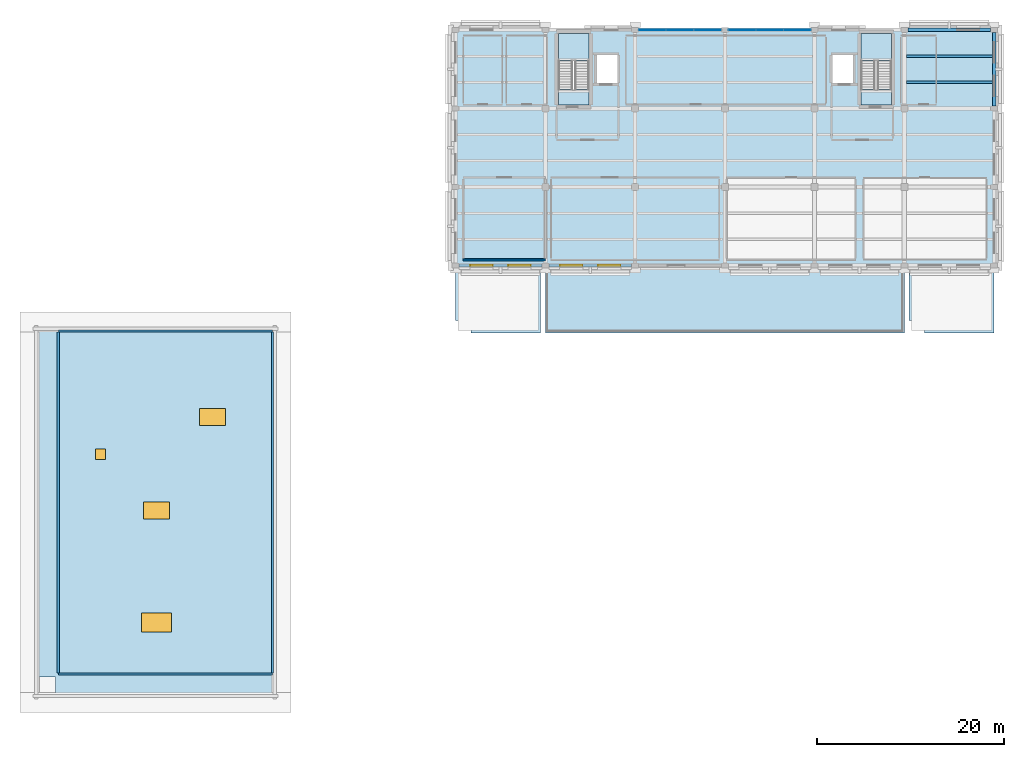
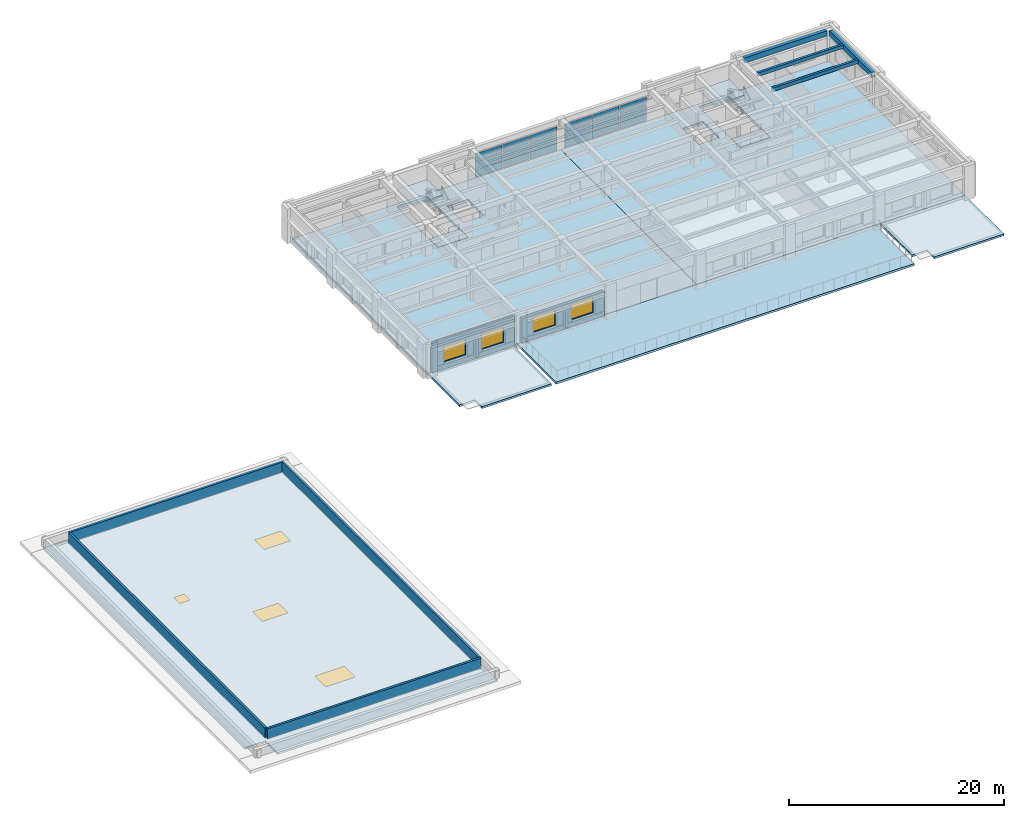
# One storey, part 3 of 10: 18 plates, 10 slabs, 7 walls, 7 windows, 4 beams, 1 door, 8 openings, 4 elements without a shape of their own.
"""IFC4 building model written with IfcOpenShell, lengths in metres."""

import ifcopenshell
import ifcopenshell.guid

model = None  # the IFC model being written
_history = None  # IfcOwnerHistory: only IFC2X3 demands one
_inside = {}  # id of a spatial element -> (the spatial element, [elements in it])
_under = {}  # id of a project, library or spatial element -> (it, [spatial elements below it])
_declared = {}  # id of a project -> (the project, [libraries it declares])
_typed = {}  # id of a type object -> (the type object, [elements of that type])
_made_of = {}  # id of a material, layer set ... -> (it, [elements and type objects made of it])


def new_model(schema):
    """Start an empty IFC model of exactly this schema.

    Asked for "IFC4X3", IfcOpenShell would pick the latest addendum, in which some entities
    have other attributes; the version numbers below select the first issue.
    IFC2X3 requires an IfcOwnerHistory on every rooted entity: one is made here for all.
    """
    global model, _history
    if schema == "IFC4X3":
        model = ifcopenshell.file(schema_version=(4, 3, 0, 0))
    else:
        model = ifcopenshell.file(schema=schema)
    _inside.clear()
    _under.clear()
    _declared.clear()
    _typed.clear()
    _made_of.clear()
    _history = None
    if model.schema == "IFC2X3":
        org = make("IfcOrganization", Name="unknown")
        user = make(
            "IfcPersonAndOrganization",
            ThePerson=make("IfcPerson", FamilyName="unknown"),
            TheOrganization=org,
        )
        app = make(
            "IfcApplication",
            ApplicationDeveloper=org,
            Version="unknown",
            ApplicationFullName="unknown",
            ApplicationIdentifier="unknown",
        )
        _history = make(
            "IfcOwnerHistory",
            OwningUser=user,
            OwningApplication=app,
            ChangeAction="ADDED",
            CreationDate=0,
        )
    return model


def make(cls, **values):
    """One entity of the class cls with the attributes given. An attribute that is None is left unset."""
    return model.create_entity(
        cls, **{name: value for name, value in values.items() if value is not None}
    )


def rooted(cls, **values):
    """An entity with a GlobalId (a new one), such as an element, a storey or a relation."""
    return make(cls, GlobalId=ifcopenshell.guid.new(), OwnerHistory=_history, **values)


def si_unit(unit_type, name, prefix=None):
    """IfcSIUnit, for example si_unit("LENGTHUNIT", "METRE", prefix="MILLI")."""
    return make("IfcSIUnit", UnitType=unit_type, Prefix=prefix, Name=name)


def assignment(units):
    """IfcUnitAssignment: the units of a project."""
    return None if units is None else make("IfcUnitAssignment", Units=units)


def point(xyz):
    """IfcCartesianPoint."""
    return None if xyz is None else make("IfcCartesianPoint", Coordinates=xyz)


def direction(xyz):
    """IfcDirection."""
    return None if xyz is None else make("IfcDirection", DirectionRatios=xyz)


def frame(location, z_axis=None, x_axis=None):
    """IfcAxis2Placement3D, a coordinate frame: its origin and axes. An axis left out is left unset."""
    return make(
        "IfcAxis2Placement3D",
        Location=point(location),
        Axis=direction(z_axis),
        RefDirection=direction(x_axis),
    )


def frame_2d(location, x_axis=None):
    """IfcAxis2Placement2D, a coordinate frame in the plane: its origin and x axis."""
    return make(
        "IfcAxis2Placement2D", Location=point(location), RefDirection=direction(x_axis)
    )


def origin():
    """The frame at (0, 0, 0) with its axes left unset."""
    return frame((0.0, 0.0, 0.0))


def origin_2d():
    """The frame at (0, 0) in the plane with its x axis left unset."""
    return frame_2d((0.0, 0.0))


def place(relative_to, where):
    """IfcLocalPlacement: puts the frame where relative to a parent placement (None: the world)."""
    return make(
        "IfcLocalPlacement", PlacementRelTo=relative_to, RelativePlacement=where
    )


def context(
    kind, dimensions, precision=None, world=None, true_north=None, identifier=None
):
    """IfcGeometricRepresentationContext, for example the 3D "Model" context."""
    return make(
        "IfcGeometricRepresentationContext",
        ContextIdentifier=identifier,
        ContextType=kind,
        CoordinateSpaceDimension=dimensions,
        Precision=precision,
        WorldCoordinateSystem=world,
        TrueNorth=true_north,
    )


def subcontext(parent, identifier, kind, view, scale=None):
    """IfcGeometricRepresentationSubContext, for example "Body" below "Model"."""
    return make(
        "IfcGeometricRepresentationSubContext",
        ContextIdentifier=identifier,
        ContextType=kind,
        ParentContext=parent,
        TargetScale=scale,
        TargetView=view,
    )


def project(units=None, contexts=None):
    """IfcProject with its units and contexts."""
    return rooted(
        "IfcProject",
        Name="project",
        RepresentationContexts=contexts,
        UnitsInContext=assignment(units),
    )


def spatial(cls, under=None, at=None, **own):
    """A site, building, storey or space (cls), placed at a placement, below another one or the project."""
    s = rooted(cls, ObjectPlacement=at, **own)
    if under is not None:
        _under.setdefault(under.id(), (under, []))[1].append(s)
    return s


def polyline(points):
    """IfcPolyline through the points."""
    return make("IfcPolyline", Points=[point(p) for p in points])


def profile(cls, at=None, kind="AREA", **sizes):
    """A parametric profile (cls). Its sizes go by their IFC names, for example OverallWidth=200.0."""
    return make(cls, ProfileType=kind, Position=at, **sizes)


def rectangle(**sizes):
    """IfcRectangleProfileDef."""
    return profile("IfcRectangleProfileDef", **sizes)


def outline(outer, holes=None, kind="AREA"):
    """IfcArbitraryClosedProfileDef: a profile drawn as a closed curve; with holes, ...WithVoids."""
    if holes is None:
        return make("IfcArbitraryClosedProfileDef", ProfileType=kind, OuterCurve=outer)
    return make(
        "IfcArbitraryProfileDefWithVoids",
        ProfileType=kind,
        OuterCurve=outer,
        InnerCurves=holes,
    )


def extrude(swept, where, along, depth):
    """IfcExtrudedAreaSolid: the profile swept, set in the frame where, extruded along a direction by depth."""
    return make(
        "IfcExtrudedAreaSolid",
        SweptArea=swept,
        Position=where,
        ExtrudedDirection=direction(along),
        Depth=depth,
    )


def shape(context_of_items, identifier, shape_type, items):
    """IfcShapeRepresentation: the items that make up one representation, for example the "Body"."""
    return make(
        "IfcShapeRepresentation",
        ContextOfItems=context_of_items,
        RepresentationIdentifier=identifier,
        RepresentationType=shape_type,
        Items=items,
    )


def material(Name=None, Category=None):
    """IfcMaterial."""
    return make("IfcMaterial", Name=Name, Category=Category)


def layer(
    of_material, thickness, ventilated=None, Name=None, Category=None, Priority=None
):
    """IfcMaterialLayer: one layer of a wall or slab, of a material (None: an air gap)."""
    return make(
        "IfcMaterialLayer",
        Material=of_material,
        LayerThickness=thickness,
        IsVentilated=ventilated,
        Name=Name,
        Category=Category,
        Priority=Priority,
    )


def layer_set(layers, Name=None):
    """IfcMaterialLayerSet."""
    return make("IfcMaterialLayerSet", MaterialLayers=layers, LayerSetName=Name)


def material_profile(
    of_material, cross_section, Name=None, Category=None, Priority=None
):
    """IfcMaterialProfile: a cross section and its material."""
    return make(
        "IfcMaterialProfile",
        Name=Name,
        Material=of_material,
        Profile=cross_section,
        Priority=Priority,
        Category=Category,
    )


def profile_set(profiles, Name=None, composite=None):
    """IfcMaterialProfileSet."""
    return make(
        "IfcMaterialProfileSet",
        Name=Name,
        MaterialProfiles=profiles,
        CompositeProfile=composite,
    )


def made_of(thing, what):
    """Note that an element or type object is made of a material, layer set ...; save() writes the relation."""
    if what is not None:
        _made_of.setdefault(what.id(), (what, []))[1].append(thing)
    return thing


def type_object(cls, material=None, **own):
    """A type object (cls), such as IfcWallType, which elements share."""
    return made_of(rooted(cls, **own), material)


def element(
    cls,
    number,
    at=None,
    inside=None,
    cuts=None,
    type_object=None,
    material=None,
    context=None,
    identifier="Body",
    shape_type=None,
    held_by="IfcProductDefinitionShape",
    body=None,
    shapes=None,
    **own,
):
    """One element of the class cls, such as IfcWall. Its Tag is "e" and its number.

    at: its placement. inside: the storey or other place that contains it. cuts: it is an
    opening in that element (IfcRelVoidsElement). A single representation is given by context,
    identifier, shape_type and body (its items); several are given by shapes. held_by: the class
    of the entity that holds the representations. save() writes the other relations.
    """
    e = rooted(cls, Tag="e%d" % number, ObjectPlacement=at, **own)
    if body is not None:
        shapes = [shape(context, identifier, shape_type, body)]
    if shapes is not None:
        e.Representation = make(held_by, Representations=shapes)
    if inside is not None:
        _inside.setdefault(inside.id(), (inside, []))[1].append(e)
    if cuts is not None:
        rooted(
            "IfcRelVoidsElement", RelatingBuildingElement=cuts, RelatedOpeningElement=e
        )
    if type_object is not None:
        _typed.setdefault(type_object.id(), (type_object, []))[1].append(e)
    return made_of(e, material)


def fill(opening, filler):
    """IfcRelFillsElement: the door or window that sits in an opening."""
    return rooted(
        "IfcRelFillsElement",
        RelatingOpeningElement=opening,
        RelatedBuildingElement=filler,
    )


def aggregate(whole, parts):
    """IfcRelAggregates: a whole, such as a stair, and the parts it consists of."""
    return rooted("IfcRelAggregates", RelatingObject=whole, RelatedObjects=parts)


def save(model, path):
    """Write the relations noted so far, then the file.

    IfcRelAggregates (storeys below a building ...), IfcRelContainedInSpatialStructure (elements
    in a storey), IfcRelDefinesByType, IfcRelAssociatesMaterial and IfcRelDeclares: one each for
    every whole, place, type object, material and project.
    """
    for whole, parts in _under.values():
        aggregate(whole, parts)
    for where, things in _inside.values():
        rooted(
            "IfcRelContainedInSpatialStructure",
            RelatedElements=things,
            RelatingStructure=where,
        )
    for kind, things in _typed.values():
        rooted("IfcRelDefinesByType", RelatedObjects=things, RelatingType=kind)
    for what, things in _made_of.values():
        rooted("IfcRelAssociatesMaterial", RelatedObjects=things, RelatingMaterial=what)
    for by, libraries in _declared.values():
        rooted("IfcRelDeclares", RelatingContext=by, RelatedDefinitions=libraries)
    model.write(path)


model = new_model("IFC4")

# Units and contexts
model_context = context("Model", 3, precision=1e-05, world=origin(), true_north=direction((0.0, 1.0)))
body_context = subcontext(model_context, "Body", "Model", "MODEL_VIEW")
ifc_project = project(units=[si_unit("LENGTHUNIT", "METRE"), si_unit("AREAUNIT", "SQUARE_METRE"), si_unit("VOLUMEUNIT", "CUBIC_METRE"), si_unit("PLANEANGLEUNIT", "RADIAN"), si_unit("MASSUNIT", "GRAM", prefix="KILO")], contexts=[model_context])

# Site, building, storey
site_placement = place(None, origin())
site = spatial("IfcSite", under=ifc_project, at=site_placement, CompositionType="ELEMENT")
building_placement = place(site_placement, origin())
building = spatial("IfcBuilding", under=site, at=building_placement, Name="Bempovik Park Faculty of Sciences", CompositionType="ELEMENT")
storey_placement = place(building_placement, frame((0.0, 0.0, 26.699951171875)))
storey = spatial("IfcBuildingStorey", under=building, at=storey_placement, Name="L06", CompositionType="ELEMENT", Elevation=26.699951171875)

# Beams
ifc_material_1 = material(Name="Concrete C35/45", Category="concrete")
ifc_material_profile_1 = material_profile(ifc_material_1, rectangle(XDim=0.3798828125, YDim=0.60009765625, at=origin_2d()), Name="RC 380x600")
ifc_profile_set_1 = profile_set([ifc_material_profile_1], Name="Concrete C35/45")
beam_type_1 = type_object("IfcBeamType", Name="B-032 RC 380x600", PredefinedType="SPANDREL", material=ifc_profile_set_1)
beam_1_placement = place(storey_placement, frame((108.381103515625, 119.39990234375, 3.320068359375), z_axis=(1.0, 0.0, 0.0), x_axis=(0.0, 1.0, 0.0)))
element("IfcBeam", 1, at=beam_1_placement, inside=storey, type_object=beam_type_1, Name="L06 Beam X (108.0-117.6, y=119.4)", PredefinedType="SPANDREL", context=body_context, shape_type="SweptSolid", body=[
    extrude(rectangle(XDim=0.3798828125, YDim=0.60009765625, at=origin_2d()), origin(), (0.0, 0.0, 1.0), 8.837890625),
])
beam_2_placement = place(storey_placement, frame((117.60009765625, 111.281005859375, 3.320068359375), z_axis=(0.0, 1.0, 0.0), x_axis=(-1.0, 0.0, 0.0)))
element("IfcBeam", 2, at=beam_2_placement, inside=storey, type_object=beam_type_1, Name="L06 Beam Y (x=117.6, 111.0-119.4)", PredefinedType="SPANDREL", context=body_context, shape_type="SweptSolid", body=[
    extrude(rectangle(XDim=0.3798828125, YDim=0.60009765625, at=origin_2d()), origin(), (0.0, 0.0, 1.0), 7.837890625),
])
ifc_material_profile_2 = material_profile(ifc_material_1, rectangle(XDim=0.260009765625, YDim=0.39990234375, at=origin_2d()), Name="RC 260x400")
ifc_profile_set_2 = profile_set([ifc_material_profile_2], Name="Concrete C35/45")
beam_type_2 = type_object("IfcBeamType", Name="B-063 RC 260x400", PredefinedType="JOIST", material=ifc_profile_set_2)
for number, where, z_axis, x_axis, name in (
    (3, (108.23095703125, 113.800048828125, 3.420166015625), (1.0, 0.0, 0.0), (0.0, 1.0, 0.0), "L06 Secondary Joist (108.0-117.6, y=113.80)"),
    (4, (108.23095703125, 116.60009765625, 3.420166015625), (1.0, 0.0, 0.0), (0.0, 1.0, 0.0), "L06 Secondary Joist (108.0-117.6, y=116.60)"),
):
    element("IfcBeam", number, at=place(storey_placement, frame(where, z_axis=z_axis, x_axis=x_axis)), inside=storey, type_object=beam_type_2, Name=name, PredefinedType="JOIST", context=body_context, shape_type="SweptSolid", body=[
        extrude(rectangle(XDim=0.260009765625, YDim=0.39990234375, at=origin_2d()), origin(), (0.0, 0.0, 1.0), 9.173095703125),
    ])

# Curtain wall, plates
ifc_material_2 = material(Name="Tempered laminated low-E glass", Category="glass")
ifc_layer_1 = layer(ifc_material_2, 0.159912109375)
ifc_layer_set_1 = layer_set([ifc_layer_1], Name="Tempered laminated low-E glass")
curtain_wall_type = type_object("IfcCurtainWallType", Name="CW-24 Curtain 7000x3500", PredefinedType="USERDEFINED", material=ifc_layer_set_1)
curtain_wall_1_placement = place(storey_placement, origin())
curtain_wall_1 = element("IfcCurtainWall", 5, at=curtain_wall_1_placement, inside=storey, type_object=curtain_wall_type, Name="L06 Unitised Curtain Wall (119.4,79.2)", ObjectType="UNITISED CURTAIN WALL", PredefinedType="USERDEFINED")
ifc_layer_2 = layer(ifc_material_2, 0.028076171875)
ifc_layer_set_2 = layer_set([ifc_layer_2], Name="Tempered laminated low-E glass")
plate_type_1 = type_object("IfcPlateType", Name="CP-20 Curtain Panel 28mm", PredefinedType="CURTAIN_PANEL", material=ifc_layer_set_2)
plate_1_placement = place(storey_placement, frame((81.05126953125, 119.39990234375, 0.966796875), z_axis=(0.0, 0.0, 1.0), x_axis=(1.0, 0.0, 0.0)))
plate_1 = element("IfcPlate", 6, at=plate_1_placement, type_object=plate_type_1, Name="CW-BAY-L06-1194-792 Panel 0-1", PredefinedType="CURTAIN_PANEL", context=body_context, shape_type="SweptSolid", body=[
    extrude(rectangle(XDim=2.86865234375, YDim=0.035888671875, at=origin_2d()), origin(), (0.0, 0.0, 1.0), 0.8466796875),
])
plate_2_placement = place(storey_placement, frame((81.05126953125, 119.39990234375, 1.893310546875), z_axis=(0.0, 0.0, 1.0), x_axis=(1.0, 0.0, 0.0)))
plate_2 = element("IfcPlate", 7, at=plate_2_placement, type_object=plate_type_1, Name="CW-BAY-L06-1194-792 Panel 0-2", PredefinedType="CURTAIN_PANEL", context=body_context, shape_type="SweptSolid", body=[
    extrude(rectangle(XDim=2.86865234375, YDim=0.035888671875, at=origin_2d()), origin(), (0.0, 0.0, 1.0), 0.8466796875),
])
plate_3_placement = place(storey_placement, frame((84.0, 119.39990234375, 0.966796875), z_axis=(0.0, 0.0, 1.0), x_axis=(1.0, 0.0, 0.0)))
plate_3 = element("IfcPlate", 8, at=plate_3_placement, type_object=plate_type_1, Name="CW-BAY-L06-1194-792 Panel 1-1", PredefinedType="CURTAIN_PANEL", context=body_context, shape_type="SweptSolid", body=[
    extrude(rectangle(XDim=2.86865234375, YDim=0.035888671875, at=origin_2d()), origin(), (0.0, 0.0, 1.0), 0.8466796875),
])
plate_4_placement = place(storey_placement, frame((84.0, 119.39990234375, 1.893310546875), z_axis=(0.0, 0.0, 1.0), x_axis=(1.0, 0.0, 0.0)))
plate_4 = element("IfcPlate", 9, at=plate_4_placement, type_object=plate_type_1, Name="CW-BAY-L06-1194-792 Panel 1-2", PredefinedType="CURTAIN_PANEL", context=body_context, shape_type="SweptSolid", body=[
    extrude(rectangle(XDim=2.86865234375, YDim=0.035888671875, at=origin_2d()), origin(), (0.0, 0.0, 1.0), 0.8466796875),
])
plate_5_placement = place(storey_placement, frame((86.94873046875, 119.39990234375, 0.966796875), z_axis=(0.0, 0.0, 1.0), x_axis=(1.0, 0.0, 0.0)))
plate_5 = element("IfcPlate", 10, at=plate_5_placement, type_object=plate_type_1, Name="CW-BAY-L06-1194-792 Panel 2-1", PredefinedType="CURTAIN_PANEL", context=body_context, shape_type="SweptSolid", body=[
    extrude(rectangle(XDim=2.86865234375, YDim=0.035888671875, at=origin_2d()), origin(), (0.0, 0.0, 1.0), 0.8466796875),
])
plate_6_placement = place(storey_placement, frame((86.94873046875, 119.39990234375, 1.893310546875), z_axis=(0.0, 0.0, 1.0), x_axis=(1.0, 0.0, 0.0)))
plate_6 = element("IfcPlate", 11, at=plate_6_placement, type_object=plate_type_1, Name="CW-BAY-L06-1194-792 Panel 2-2", PredefinedType="CURTAIN_PANEL", context=body_context, shape_type="SweptSolid", body=[
    extrude(rectangle(XDim=2.86865234375, YDim=0.035888671875, at=origin_2d()), origin(), (0.0, 0.0, 1.0), 0.8466796875),
])

curtain_wall_2_placement = place(storey_placement, origin())
curtain_wall_2 = element("IfcCurtainWall", 12, at=curtain_wall_2_placement, inside=storey, type_object=curtain_wall_type, Name="L06 Unitised Curtain Wall (119.4,88.8)", ObjectType="UNITISED CURTAIN WALL", PredefinedType="USERDEFINED")
plate_7_placement = place(storey_placement, frame((90.6513671875, 119.39990234375, 0.966796875), z_axis=(0.0, 0.0, 1.0), x_axis=(1.0, 0.0, 0.0)))
plate_7 = element("IfcPlate", 13, at=plate_7_placement, type_object=plate_type_1, Name="CW-BAY-L06-1194-888 Panel 0-1", PredefinedType="CURTAIN_PANEL", context=body_context, shape_type="SweptSolid", body=[
    extrude(rectangle(XDim=2.86865234375, YDim=0.035888671875, at=origin_2d()), origin(), (0.0, 0.0, 1.0), 0.8466796875),
])
plate_8_placement = place(storey_placement, frame((90.6513671875, 119.39990234375, 1.893310546875), z_axis=(0.0, 0.0, 1.0), x_axis=(1.0, 0.0, 0.0)))
plate_8 = element("IfcPlate", 14, at=plate_8_placement, type_object=plate_type_1, Name="CW-BAY-L06-1194-888 Panel 0-2", PredefinedType="CURTAIN_PANEL", context=body_context, shape_type="SweptSolid", body=[
    extrude(rectangle(XDim=2.86865234375, YDim=0.035888671875, at=origin_2d()), origin(), (0.0, 0.0, 1.0), 0.8466796875),
])
plate_9_placement = place(storey_placement, frame((93.60009765625, 119.39990234375, 0.966796875), z_axis=(0.0, 0.0, 1.0), x_axis=(1.0, 0.0, 0.0)))
plate_9 = element("IfcPlate", 15, at=plate_9_placement, type_object=plate_type_1, Name="CW-BAY-L06-1194-888 Panel 1-1", PredefinedType="CURTAIN_PANEL", context=body_context, shape_type="SweptSolid", body=[
    extrude(rectangle(XDim=2.86865234375, YDim=0.035888671875, at=origin_2d()), origin(), (0.0, 0.0, 1.0), 0.8466796875),
])
plate_10_placement = place(storey_placement, frame((93.60009765625, 119.39990234375, 1.893310546875), z_axis=(0.0, 0.0, 1.0), x_axis=(1.0, 0.0, 0.0)))
plate_10 = element("IfcPlate", 16, at=plate_10_placement, type_object=plate_type_1, Name="CW-BAY-L06-1194-888 Panel 1-2", PredefinedType="CURTAIN_PANEL", context=body_context, shape_type="SweptSolid", body=[
    extrude(rectangle(XDim=2.86865234375, YDim=0.035888671875, at=origin_2d()), origin(), (0.0, 0.0, 1.0), 0.8466796875),
])
plate_11_placement = place(storey_placement, frame((96.548583984375, 119.39990234375, 0.966796875), z_axis=(0.0, 0.0, 1.0), x_axis=(1.0, 0.0, 0.0)))
plate_11 = element("IfcPlate", 17, at=plate_11_placement, type_object=plate_type_1, Name="CW-BAY-L06-1194-888 Panel 2-1", PredefinedType="CURTAIN_PANEL", context=body_context, shape_type="SweptSolid", body=[
    extrude(rectangle(XDim=2.86865234375, YDim=0.035888671875, at=origin_2d()), origin(), (0.0, 0.0, 1.0), 0.8466796875),
])
plate_12_placement = place(storey_placement, frame((96.548583984375, 119.39990234375, 1.893310546875), z_axis=(0.0, 0.0, 1.0), x_axis=(1.0, 0.0, 0.0)))
plate_12 = element("IfcPlate", 18, at=plate_12_placement, type_object=plate_type_1, Name="CW-BAY-L06-1194-888 Panel 2-2", PredefinedType="CURTAIN_PANEL", context=body_context, shape_type="SweptSolid", body=[
    extrude(rectangle(XDim=2.86865234375, YDim=0.035888671875, at=origin_2d()), origin(), (0.0, 0.0, 1.0), 0.8466796875),
])

# Plate
ifc_material_3 = material(Name="Anodised architectural bronze")
ifc_layer_3 = layer(ifc_material_3, 0.048095703125)
ifc_layer_set_3 = layer_set([ifc_layer_3], Name="Anodised architectural bronze")
plate_type_2 = type_object("IfcPlateType", Name="CP-24 Curtain Panel 48mm", PredefinedType="CURTAIN_PANEL", material=ifc_layer_set_3)
plate_13_placement = place(storey_placement, frame((81.05126953125, 119.39990234375, 0.0400390625), z_axis=(0.0, 0.0, 1.0), x_axis=(1.0, 0.0, 0.0)))
plate_13 = element("IfcPlate", 19, at=plate_13_placement, type_object=plate_type_2, Name="CW-BAY-L06-1194-792 Panel 0-0", PredefinedType="CURTAIN_PANEL", context=body_context, shape_type="SweptSolid", body=[
    extrude(rectangle(XDim=2.86865234375, YDim=0.035888671875, at=origin_2d()), origin(), (0.0, 0.0, 1.0), 0.8466796875),
])

plate_14_placement = place(storey_placement, frame((84.0, 119.39990234375, 0.0400390625), z_axis=(0.0, 0.0, 1.0), x_axis=(1.0, 0.0, 0.0)))
plate_14 = element("IfcPlate", 20, at=plate_14_placement, type_object=plate_type_2, Name="CW-BAY-L06-1194-792 Panel 1-0", PredefinedType="CURTAIN_PANEL", context=body_context, shape_type="SweptSolid", body=[
    extrude(rectangle(XDim=2.86865234375, YDim=0.035888671875, at=origin_2d()), origin(), (0.0, 0.0, 1.0), 0.8466796875),
])

plate_15_placement = place(storey_placement, frame((86.94873046875, 119.39990234375, 0.0400390625), z_axis=(0.0, 0.0, 1.0), x_axis=(1.0, 0.0, 0.0)))
plate_15 = element("IfcPlate", 21, at=plate_15_placement, type_object=plate_type_2, Name="CW-BAY-L06-1194-792 Panel 2-0", PredefinedType="CURTAIN_PANEL", context=body_context, shape_type="SweptSolid", body=[
    extrude(rectangle(XDim=2.86865234375, YDim=0.035888671875, at=origin_2d()), origin(), (0.0, 0.0, 1.0), 0.8466796875),
])

aggregate(curtain_wall_1, [plate_13, plate_1, plate_2, plate_14, plate_3, plate_4, plate_15, plate_5, plate_6])

plate_16_placement = place(storey_placement, frame((90.6513671875, 119.39990234375, 0.0400390625), z_axis=(0.0, 0.0, 1.0), x_axis=(1.0, 0.0, 0.0)))
plate_16 = element("IfcPlate", 22, at=plate_16_placement, type_object=plate_type_2, Name="CW-BAY-L06-1194-888 Panel 0-0", PredefinedType="CURTAIN_PANEL", context=body_context, shape_type="SweptSolid", body=[
    extrude(rectangle(XDim=2.86865234375, YDim=0.035888671875, at=origin_2d()), origin(), (0.0, 0.0, 1.0), 0.8466796875),
])

plate_17_placement = place(storey_placement, frame((93.60009765625, 119.39990234375, 0.0400390625), z_axis=(0.0, 0.0, 1.0), x_axis=(1.0, 0.0, 0.0)))
plate_17 = element("IfcPlate", 23, at=plate_17_placement, type_object=plate_type_2, Name="CW-BAY-L06-1194-888 Panel 1-0", PredefinedType="CURTAIN_PANEL", context=body_context, shape_type="SweptSolid", body=[
    extrude(rectangle(XDim=2.86865234375, YDim=0.035888671875, at=origin_2d()), origin(), (0.0, 0.0, 1.0), 0.8466796875),
])

plate_18_placement = place(storey_placement, frame((96.548583984375, 119.39990234375, 0.0400390625), z_axis=(0.0, 0.0, 1.0), x_axis=(1.0, 0.0, 0.0)))
plate_18 = element("IfcPlate", 24, at=plate_18_placement, type_object=plate_type_2, Name="CW-BAY-L06-1194-888 Panel 2-0", PredefinedType="CURTAIN_PANEL", context=body_context, shape_type="SweptSolid", body=[
    extrude(rectangle(XDim=2.86865234375, YDim=0.035888671875, at=origin_2d()), origin(), (0.0, 0.0, 1.0), 0.8466796875),
])

aggregate(curtain_wall_2, [plate_16, plate_7, plate_8, plate_17, plate_9, plate_10, plate_18, plate_11, plate_12])

# Slabs
ifc_layer_4 = layer(ifc_material_1, 0.239990234375)
ifc_layer_set_4 = layer_set([ifc_layer_4], Name="Concrete C35/45")
slab_type_1 = type_object("IfcSlabType", Name="S-27 Slab 240mm", PredefinedType="FLOOR", material=ifc_layer_set_4)
slab_1_placement = place(storey_placement, frame((0.0, 0.0, -0.239990234375)))
element("IfcSlab", 25, at=slab_1_placement, inside=storey, type_object=slab_type_1, Name="L06 South Atrium View Terrace Slab", PredefinedType="FLOOR", context=body_context, shape_type="SweptSolid", body=[
    extrude(outline(polyline([(69.60009765625, 87.0), (108.0, 87.0), (108.0, 94.199951171875), (69.60009765625, 94.199951171875), (69.60009765625, 87.0)])), origin(), (0.0, 0.0, 1.0), 0.239990234375),
])
ifc_layer_5 = layer(ifc_material_1, 0.280029296875)
ifc_layer_set_5 = layer_set([ifc_layer_5], Name="Concrete C35/45")
slab_type_2 = type_object("IfcSlabType", Name="S-32 Slab 280mm", PredefinedType="FLOOR", material=ifc_layer_set_5)
slab_2_placement = place(storey_placement, frame((0.0, 0.0, -0.280029296875)))
element("IfcSlab", 26, at=slab_2_placement, inside=storey, type_object=slab_type_2, Name="L06 North Research Tower Floor Slab (W)", PredefinedType="FLOOR", context=body_context, shape_type="SweptSolid", body=[
    extrude(outline(polyline([(60.0, 94.199951171875), (88.800048828125, 94.199951171875), (88.800048828125, 119.39990234375), (60.0, 119.39990234375), (60.0, 94.199951171875)]), holes=[polyline([(71.0, 111.375), (74.25, 111.375), (74.25, 119.0), (71.0, 119.0), (71.0, 111.375)]), polyline([(75.10009765625, 113.699951171875), (77.300048828125, 113.699951171875), (77.300048828125, 116.699951171875), (75.10009765625, 116.699951171875), (75.10009765625, 113.699951171875)])]), origin(), (0.0, 0.0, 1.0), 0.280029296875),
])
slab_3_placement = place(storey_placement, frame((0.0, 0.0, -0.280029296875)))
element("IfcSlab", 27, at=slab_3_placement, inside=storey, type_object=slab_type_2, Name="L06 North Research Tower Floor Slab (E)", PredefinedType="FLOOR", context=body_context, shape_type="SweptSolid", body=[
    extrude(outline(polyline([(88.800048828125, 94.199951171875), (117.60009765625, 94.199951171875), (117.60009765625, 119.39990234375), (88.800048828125, 119.39990234375), (88.800048828125, 94.199951171875)]), holes=[polyline([(103.375, 111.375), (106.625, 111.375), (106.625, 119.0), (103.375, 119.0), (103.375, 111.375)]), polyline([(100.300048828125, 113.699951171875), (102.5, 113.699951171875), (102.5, 116.699951171875), (100.300048828125, 116.699951171875), (100.300048828125, 113.699951171875)])]), origin(), (0.0, 0.0, 1.0), 0.280029296875),
])

# Slab, openings, door, windows
ifc_layer_6 = layer(ifc_material_1, 0.219970703125)
ifc_layer_set_6 = layer_set([ifc_layer_6], Name="Concrete C35/45")
slab_type_3 = type_object("IfcSlabType", Name="S-38 Slab 220mm", PredefinedType="ROOF", material=ifc_layer_set_6)
slab_4_placement = place(storey_placement, frame((0.0, 0.0, -0.219970703125)))
slab_4 = element("IfcSlab", 28, at=slab_4_placement, inside=storey, type_object=slab_type_3, Name="Flat Concrete Roof Slab RF-V4-MAIN", PredefinedType="ROOF", context=body_context, shape_type="SweptSolid", body=[
    extrude(outline(polyline([(17.199951171875, 48.0), (40.800048828125, 48.0), (40.800048828125, 87.60009765625), (15.0, 87.60009765625), (15.0, 50.199951171875), (17.199951171875, 50.199951171875), (17.199951171875, 48.0)]), holes=[polyline([(26.43994140625, 55.0400390625), (29.56005859375, 55.0400390625), (29.56005859375, 56.9599609375), (26.43994140625, 56.9599609375), (26.43994140625, 55.0400390625)]), polyline([(26.639892578125, 67.139892578125), (29.360107421875, 67.139892578125), (29.360107421875, 68.860107421875), (26.639892578125, 68.860107421875), (26.639892578125, 67.139892578125)]), polyline([(32.639892578125, 77.139892578125), (35.360107421875, 77.139892578125), (35.360107421875, 78.860107421875), (32.639892578125, 78.860107421875), (32.639892578125, 77.139892578125)]), polyline([(21.489990234375, 73.489990234375), (22.510009765625, 73.489990234375), (22.510009765625, 74.510009765625), (21.489990234375, 74.510009765625), (21.489990234375, 73.489990234375)])]), origin(), (0.0, 0.0, 1.0), 0.219970703125),
])
opening_1_placement = place(slab_4_placement, frame((28.0, 56.0, -0.010009765625)))
opening_1 = element("IfcOpeningElement", 29, at=opening_1_placement, cuts=slab_4, Name="Opening WN-80", PredefinedType="OPENING", context=body_context, shape_type="SweptSolid", body=[
    extrude(rectangle(XDim=3.199951171875, YDim=2.0, at=origin_2d()), origin(), (0.0, 0.0, 1.0), 0.239990234375),
])
opening_2_placement = place(slab_4_placement, frame((28.0, 68.0, -0.010009765625)))
opening_2 = element("IfcOpeningElement", 30, at=opening_2_placement, cuts=slab_4, Name="Opening WN-50", PredefinedType="OPENING", context=body_context, shape_type="SweptSolid", body=[
    extrude(rectangle(XDim=2.800048828125, YDim=1.800048828125, at=origin_2d()), origin(), (0.0, 0.0, 1.0), 0.239990234375),
])
opening_3_placement = place(slab_4_placement, frame((34.0, 78.0, -0.010009765625)))
opening_3 = element("IfcOpeningElement", 31, at=opening_3_placement, cuts=slab_4, Name="Opening WN-50", PredefinedType="OPENING", context=body_context, shape_type="SweptSolid", body=[
    extrude(rectangle(XDim=2.800048828125, YDim=1.800048828125, at=origin_2d()), origin(), (0.0, 0.0, 1.0), 0.239990234375),
])
opening_4_placement = place(slab_4_placement, frame((22.0, 74.0, -0.010009765625)))
opening_4 = element("IfcOpeningElement", 32, at=opening_4_placement, cuts=slab_4, Name="Opening RH-01", PredefinedType="OPENING", context=body_context, shape_type="SweptSolid", body=[
    extrude(rectangle(XDim=1.10009765625, YDim=1.10009765625, at=origin_2d()), origin(), (0.0, 0.0, 1.0), 0.239990234375),
])
ifc_material_4 = material(Name="Anodised aluminium", Category="aluminium")
door_type = type_object("IfcDoorType", Name="RH-01 Trapdoor 1100x1100", OperationType="NOTDEFINED", PredefinedType="TRAPDOOR", material=ifc_material_4)
door_placement = place(slab_4_placement, frame((22.0, 74.0, 0.169921875)))
door = element("IfcDoor", 33, at=door_placement, inside=storey, type_object=door_type, Name="Roof Maintenance Access Hatch RH-V4-01", OperationType="SWING_FIXED_LEFT", OverallHeight=1.10009765625, OverallWidth=1.10009765625, PredefinedType="TRAPDOOR", context=body_context, shape_type="SweptSolid", body=[
    extrude(rectangle(XDim=1.10009765625, YDim=1.10009765625, at=origin_2d()), origin(), (0.0, 0.0, 1.0), 0.050048828125),
])
fill(opening_4, door)
window_type_1 = type_object("IfcWindowType", Name="WN-50 Skylight 2800x1800", PartitioningType="SINGLE_PANEL", PredefinedType="SKYLIGHT", material=ifc_material_2)
window_1_placement = place(slab_4_placement, frame((28.0, 68.0, 0.169921875)))
window_1 = element("IfcWindow", 34, at=window_1_placement, inside=storey, type_object=window_type_1, Name="Roof Skylight SKY-V4-2", OverallHeight=1.800048828125, OverallWidth=2.800048828125, PartitioningType="SINGLE_PANEL", PredefinedType="SKYLIGHT", context=body_context, shape_type="SweptSolid", body=[
    extrude(rectangle(XDim=2.800048828125, YDim=1.800048828125, at=origin_2d()), origin(), (0.0, 0.0, 1.0), 0.050048828125),
])
fill(opening_2, window_1)
window_2_placement = place(slab_4_placement, frame((34.0, 78.0, 0.169921875)))
window_2 = element("IfcWindow", 35, at=window_2_placement, inside=storey, type_object=window_type_1, Name="Roof Skylight SKY-V4-3", OverallHeight=1.800048828125, OverallWidth=2.800048828125, PartitioningType="SINGLE_PANEL", PredefinedType="SKYLIGHT", context=body_context, shape_type="SweptSolid", body=[
    extrude(rectangle(XDim=2.800048828125, YDim=1.800048828125, at=origin_2d()), origin(), (0.0, 0.0, 1.0), 0.050048828125),
])
fill(opening_3, window_2)
window_type_2 = type_object("IfcWindowType", Name="WN-80 Skylight 3200x2000", PartitioningType="SINGLE_PANEL", PredefinedType="SKYLIGHT", material=ifc_material_2)
window_3_placement = place(slab_4_placement, frame((28.0, 56.0, 0.169921875)))
window_3 = element("IfcWindow", 36, at=window_3_placement, inside=storey, type_object=window_type_2, Name="Roof Skylight SKY-V4-1", OverallHeight=2.0, OverallWidth=3.199951171875, PartitioningType="SINGLE_PANEL", PredefinedType="SKYLIGHT", context=body_context, shape_type="SweptSolid", body=[
    extrude(rectangle(XDim=3.199951171875, YDim=2.0, at=origin_2d()), origin(), (0.0, 0.0, 1.0), 0.050048828125),
])
fill(opening_1, window_3)

# Slabs
slab_5_placement = place(storey_placement, frame((0.0, 0.0, -0.219970703125)))
element("IfcSlab", 37, at=slab_5_placement, inside=storey, type_object=slab_type_3, Name="Flat Concrete Roof Slab RF-V5-S6W", PredefinedType="ROOF", context=body_context, shape_type="SweptSolid", body=[
    extrude(outline(polyline([(61.637939453125, 87.0), (69.10009765625, 87.0), (69.10009765625, 94.199951171875), (60.0, 94.199951171875), (60.0, 88.2958984375), (61.637939453125, 88.2958984375), (61.637939453125, 87.0)])), origin(), (0.0, 0.0, 1.0), 0.219970703125),
])
slab_6_placement = place(storey_placement, frame((0.0, 0.0, -0.219970703125)))
element("IfcSlab", 38, at=slab_6_placement, inside=storey, type_object=slab_type_3, Name="Flat Concrete Roof Slab RF-V5-S6E", PredefinedType="ROOF", context=body_context, shape_type="SweptSolid", body=[
    extrude(outline(polyline([(110.137939453125, 87.0), (117.60009765625, 87.0), (117.60009765625, 94.199951171875), (108.5, 94.199951171875), (108.5, 88.2958984375), (110.137939453125, 88.2958984375), (110.137939453125, 87.0)])), origin(), (0.0, 0.0, 1.0), 0.219970703125),
])

# Stair, slab
stair_type = type_object("IfcStairType", Name="ST-17 Stair W1500 H3900", PredefinedType="HALF_TURN_STAIR", material=ifc_material_1)
stair_1_placement = place(storey_placement, origin())
stair_1 = element("IfcStair", 39, at=stair_1_placement, inside=storey, type_object=stair_type, Name="L06 ST-1 Dog-Leg Exit Stair", PredefinedType="HALF_TURN_STAIR")
ifc_layer_7 = layer(ifc_material_1, 0.199951171875)
ifc_layer_set_7 = layer_set([ifc_layer_7], Name="Concrete C35/45")
slab_type_4 = type_object("IfcSlabType", Name="S-41 Slab 200mm", PredefinedType="LANDING", material=ifc_layer_set_7)
slab_7_placement = place(storey_placement, frame((0.0, 0.0, 1.75)))
slab_7 = element("IfcSlab", 40, at=slab_7_placement, type_object=slab_type_4, Name="ST-17 landing 1", PredefinedType="LANDING", context=body_context, shape_type="SweptSolid", body=[
    extrude(outline(polyline([(74.25, 116.09375), (74.25, 119.0), (71.0, 119.0), (71.0, 116.09375), (74.25, 116.09375)])), origin(), (0.0, 0.0, 1.0), 0.199951171875),
])
aggregate(stair_1, [slab_7])

# Slab
slab_8_placement = place(storey_placement, frame((0.0, 0.0, -0.280029296875)))
element("IfcSlab", 41, at=slab_8_placement, inside=storey, type_object=slab_type_4, Name="L06 ST-1 Floor Landing Slab", PredefinedType="LANDING", context=body_context, shape_type="SweptSolid", body=[
    extrude(outline(polyline([(74.25, 111.375), (74.25, 113.0), (71.0, 113.0), (71.0, 111.375), (74.25, 111.375)])), origin(), (0.0, 0.0, 1.0), 0.280029296875),
])

# Stair, slab
stair_2_placement = place(storey_placement, origin())
stair_2 = element("IfcStair", 42, at=stair_2_placement, inside=storey, type_object=stair_type, Name="L06 ST-2 Dog-Leg Exit Stair", PredefinedType="HALF_TURN_STAIR")
slab_9_placement = place(storey_placement, frame((0.0, 0.0, 1.75)))
slab_9 = element("IfcSlab", 43, at=slab_9_placement, type_object=slab_type_4, Name="ST-17 landing 1", PredefinedType="LANDING", context=body_context, shape_type="SweptSolid", body=[
    extrude(outline(polyline([(106.625, 116.09375), (106.625, 119.0), (103.375, 119.0), (103.375, 116.09375), (106.625, 116.09375)])), origin(), (0.0, 0.0, 1.0), 0.199951171875),
])
aggregate(stair_2, [slab_9])

# Slab
slab_10_placement = place(storey_placement, frame((0.0, 0.0, -0.280029296875)))
element("IfcSlab", 44, at=slab_10_placement, inside=storey, type_object=slab_type_4, Name="L06 ST-2 Floor Landing Slab", PredefinedType="LANDING", context=body_context, shape_type="SweptSolid", body=[
    extrude(outline(polyline([(106.625, 111.375), (106.625, 113.0), (103.375, 113.0), (103.375, 111.375), (106.625, 111.375)])), origin(), (0.0, 0.0, 1.0), 0.280029296875),
])

# Walls
ifc_material_5 = material(Name="Precast concrete C40/50", Category="concrete")
ifc_layer_8 = layer(ifc_material_5, 0.239990234375)
ifc_layer_set_8 = layer_set([ifc_layer_8], Name="Precast concrete C40/50")
wall_type_1 = type_object("IfcWallType", Name="W-36 Wall 240mm", PredefinedType="PARAPET", material=ifc_layer_set_8)
wall_1_placement = place(storey_placement, frame((17.5, 50.5, 0.0), z_axis=(0.0, 0.0, 1.0), x_axis=(1.0, 0.0, 0.0)))
element("IfcWall", 45, at=wall_1_placement, inside=storey, type_object=wall_type_1, Name="Roof Parapet PR-V4-S", PredefinedType="PARAPET", context=body_context, shape_type="SweptSolid", body=[
    extrude(rectangle(XDim=22.89990234375, YDim=0.239990234375, at=frame_2d((11.449951171875, 0.0))), origin(), (0.0, 0.0, 1.0), 1.150146484375),
])
wall_2_placement = place(storey_placement, frame((40.39990234375, 50.6201171875, 0.0), z_axis=(0.0, 0.0, 1.0), x_axis=(0.0, 1.0, 0.0)))
element("IfcWall", 46, at=wall_2_placement, inside=storey, type_object=wall_type_1, Name="Roof Parapet PR-V4-E", PredefinedType="PARAPET", context=body_context, shape_type="SweptSolid", body=[
    extrude(rectangle(XDim=36.4599609375, YDim=0.239990234375, at=frame_2d((18.22998046875, 0.0))), origin(), (0.0, 0.0, 1.0), 1.150146484375),
])
wall_3_placement = place(storey_placement, frame((40.39990234375, 87.199951171875, 0.0), z_axis=(0.0, 0.0, 1.0), x_axis=(-1.0, 0.0, 0.0)))
element("IfcWall", 47, at=wall_3_placement, inside=storey, type_object=wall_type_1, Name="Roof Parapet PR-V4-N", PredefinedType="PARAPET", context=body_context, shape_type="SweptSolid", body=[
    extrude(rectangle(XDim=22.89990234375, YDim=0.239990234375, at=frame_2d((11.449951171875, 0.0))), origin(), (0.0, 0.0, 1.0), 1.150146484375),
])
wall_4_placement = place(storey_placement, frame((17.5, 87.080078125, 0.0), z_axis=(0.0, 0.0, 1.0), x_axis=(0.0, -1.0, 0.0)))
element("IfcWall", 48, at=wall_4_placement, inside=storey, type_object=wall_type_1, Name="Roof Parapet PR-V4-W", PredefinedType="PARAPET", context=body_context, shape_type="SweptSolid", body=[
    extrude(rectangle(XDim=36.4599609375, YDim=0.239990234375, at=frame_2d((18.22998046875, 0.0))), origin(), (0.0, 0.0, 1.0), 1.150146484375),
])

# Wall, openings, windows
ifc_layer_9 = layer(ifc_material_5, 0.320068359375)
ifc_layer_set_9 = layer_set([ifc_layer_9], Name="Precast concrete C40/50")
wall_type_2 = type_object("IfcWallType", Name="W-56 Wall 320mm", PredefinedType="SOLIDWALL", material=ifc_layer_set_9)
wall_5_placement = place(storey_placement, frame((60.376953125, 94.199951171875, 0.0), z_axis=(0.0, 0.0, 1.0), x_axis=(1.0, 0.0, 0.0)))
wall_5 = element("IfcWall", 49, at=wall_5_placement, inside=storey, type_object=wall_type_2, Name="L06 Classical Precast Facade Wall EW-L06-10491", PredefinedType="SOLIDWALL", context=body_context, shape_type="SweptSolid", body=[
    extrude(rectangle(XDim=8.845947265625, YDim=0.320068359375, at=frame_2d((4.4228515625, 0.0))), origin(), (0.0, 0.0, 1.0), 2.780029296875),
])
opening_5_placement = place(wall_5_placement, frame((1.1884765625, 0.0, 0.800048828125)))
opening_5 = element("IfcOpeningElement", 50, at=opening_5_placement, cuts=wall_5, Name="Opening WN-22", PredefinedType="OPENING", context=body_context, shape_type="SweptSolid", body=[
    extrude(rectangle(XDim=2.39990234375, YDim=1.75, at=frame_2d((1.199951171875, 0.875))), frame((0.0, 0.169921875, 0.0), z_axis=(0.0, -1.0, 0.0), x_axis=(1.0, 0.0, 0.0)), (0.0, 0.0, 1.0), 0.340087890625),
])
opening_6_placement = place(wall_5_placement, frame((5.257568359375, 0.0, 0.800048828125)))
opening_6 = element("IfcOpeningElement", 51, at=opening_6_placement, cuts=wall_5, Name="Opening WN-22", PredefinedType="OPENING", context=body_context, shape_type="SweptSolid", body=[
    extrude(rectangle(XDim=2.39990234375, YDim=1.75, at=frame_2d((1.199951171875, 0.875))), frame((0.0, 0.169921875, 0.0), z_axis=(0.0, -1.0, 0.0), x_axis=(1.0, 0.0, 0.0)), (0.0, 0.0, 1.0), 0.340087890625),
])
window_type_3 = type_object("IfcWindowType", Name="WN-22 Window 2400x1750", PartitioningType="SINGLE_PANEL", PredefinedType="WINDOW", material=ifc_material_2)
window_4_placement = place(opening_5_placement, origin())
window_4 = element("IfcWindow", 52, at=window_4_placement, inside=storey, type_object=window_type_3, Name="L06 Window EW-L06-10491-1", OverallHeight=1.75, OverallWidth=2.39990234375, PartitioningType="SINGLE_PANEL", PredefinedType="WINDOW", context=body_context, shape_type="SweptSolid", body=[
    extrude(rectangle(XDim=2.39990234375, YDim=1.75, at=frame_2d((1.199951171875, 0.875))), frame((0.0, 0.030029296875, 0.0), z_axis=(0.0, -1.0, 0.0), x_axis=(1.0, 0.0, 0.0)), (0.0, 0.0, 1.0), 0.06005859375),
])
fill(opening_5, window_4)
window_5_placement = place(opening_6_placement, origin())
window_5 = element("IfcWindow", 53, at=window_5_placement, inside=storey, type_object=window_type_3, Name="L06 Window EW-L06-10491-2", OverallHeight=1.75, OverallWidth=2.39990234375, PartitioningType="SINGLE_PANEL", PredefinedType="WINDOW", context=body_context, shape_type="SweptSolid", body=[
    extrude(rectangle(XDim=2.39990234375, YDim=1.75, at=frame_2d((1.199951171875, 0.875))), frame((0.0, 0.030029296875, 0.0), z_axis=(0.0, -1.0, 0.0), x_axis=(1.0, 0.0, 0.0)), (0.0, 0.0, 1.0), 0.06005859375),
])
fill(opening_6, window_5)

wall_6_placement = place(storey_placement, frame((69.97705078125, 94.199951171875, 0.0), z_axis=(0.0, 0.0, 1.0), x_axis=(1.0, 0.0, 0.0)))
wall_6 = element("IfcWall", 54, at=wall_6_placement, inside=storey, type_object=wall_type_2, Name="L06 Classical Precast Facade Wall EW-L06-10504", PredefinedType="SOLIDWALL", context=body_context, shape_type="SweptSolid", body=[
    extrude(rectangle(XDim=8.845947265625, YDim=0.320068359375, at=frame_2d((4.4228515625, 0.0))), origin(), (0.0, 0.0, 1.0), 2.780029296875),
])
opening_7_placement = place(wall_6_placement, frame((1.1884765625, 0.0, 0.800048828125)))
opening_7 = element("IfcOpeningElement", 55, at=opening_7_placement, cuts=wall_6, Name="Opening WN-22", PredefinedType="OPENING", context=body_context, shape_type="SweptSolid", body=[
    extrude(rectangle(XDim=2.39990234375, YDim=1.75, at=frame_2d((1.199951171875, 0.875))), frame((0.0, 0.169921875, 0.0), z_axis=(0.0, -1.0, 0.0), x_axis=(1.0, 0.0, 0.0)), (0.0, 0.0, 1.0), 0.340087890625),
])
opening_8_placement = place(wall_6_placement, frame((5.257568359375, 0.0, 0.800048828125)))
opening_8 = element("IfcOpeningElement", 56, at=opening_8_placement, cuts=wall_6, Name="Opening WN-22", PredefinedType="OPENING", context=body_context, shape_type="SweptSolid", body=[
    extrude(rectangle(XDim=2.39990234375, YDim=1.75, at=frame_2d((1.199951171875, 0.875))), frame((0.0, 0.169921875, 0.0), z_axis=(0.0, -1.0, 0.0), x_axis=(1.0, 0.0, 0.0)), (0.0, 0.0, 1.0), 0.340087890625),
])
window_6_placement = place(opening_7_placement, origin())
window_6 = element("IfcWindow", 57, at=window_6_placement, inside=storey, type_object=window_type_3, Name="L06 Window EW-L06-10504-1", OverallHeight=1.75, OverallWidth=2.39990234375, PartitioningType="SINGLE_PANEL", PredefinedType="WINDOW", context=body_context, shape_type="SweptSolid", body=[
    extrude(rectangle(XDim=2.39990234375, YDim=1.75, at=frame_2d((1.199951171875, 0.875))), frame((0.0, 0.030029296875, 0.0), z_axis=(0.0, -1.0, 0.0), x_axis=(1.0, 0.0, 0.0)), (0.0, 0.0, 1.0), 0.06005859375),
])
fill(opening_7, window_6)
window_7_placement = place(opening_8_placement, origin())
window_7 = element("IfcWindow", 58, at=window_7_placement, inside=storey, type_object=window_type_3, Name="L06 Window EW-L06-10504-2", OverallHeight=1.75, OverallWidth=2.39990234375, PartitioningType="SINGLE_PANEL", PredefinedType="WINDOW", context=body_context, shape_type="SweptSolid", body=[
    extrude(rectangle(XDim=2.39990234375, YDim=1.75, at=frame_2d((1.199951171875, 0.875))), frame((0.0, 0.030029296875, 0.0), z_axis=(0.0, -1.0, 0.0), x_axis=(1.0, 0.0, 0.0)), (0.0, 0.0, 1.0), 0.06005859375),
])
fill(opening_8, window_7)

# Wall
ifc_layer_10 = layer(ifc_material_1, 0.199951171875)
ifc_layer_set_10 = layer_set([ifc_layer_10], Name="Concrete C35/45")
wall_type_3 = type_object("IfcWallType", Name="W-59 Wall 200mm", PredefinedType="PARTITIONING", material=ifc_layer_set_10)
wall_7_placement = place(storey_placement, frame((60.800048828125, 94.800048828125, 0.0), z_axis=(0.0, 0.0, 1.0), x_axis=(1.0, 0.0, 0.0)))
element("IfcWall", 59, at=wall_7_placement, inside=storey, type_object=wall_type_3, Name="L06 Quantum Optics Research Laboratory Partition South", PredefinedType="PARTITIONING", context=body_context, shape_type="SweptSolid", body=[
    extrude(rectangle(XDim=8.800048828125, YDim=0.199951171875, at=frame_2d((4.39990234375, 0.0))), origin(), (0.0, 0.0, 1.0), 2.85009765625),
])

save(model, "model.ifc")
